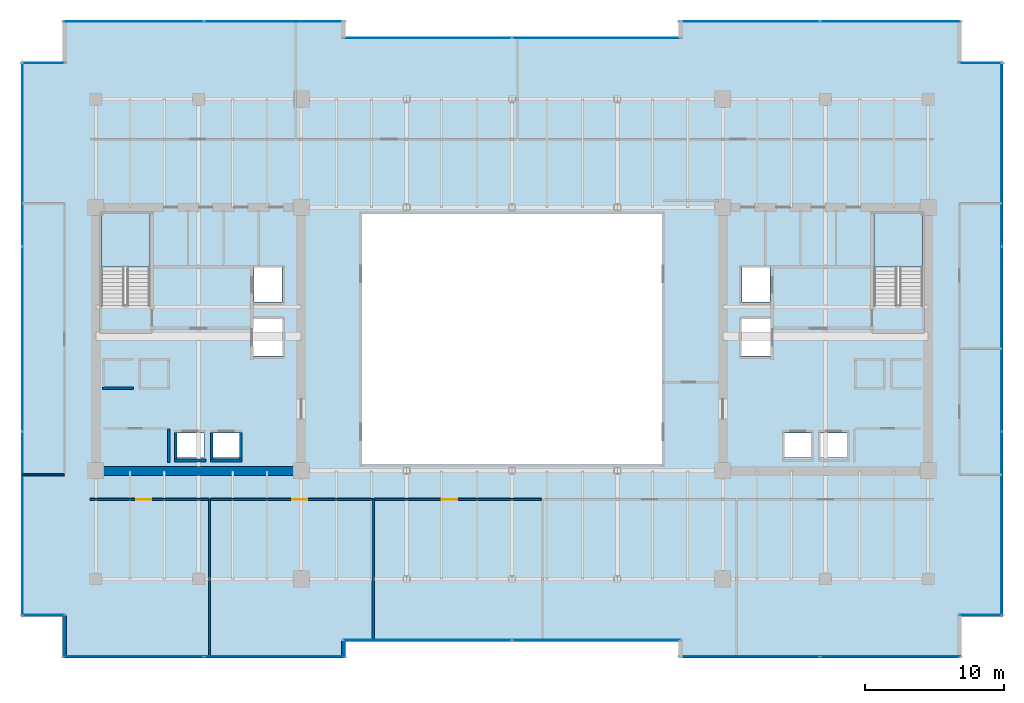
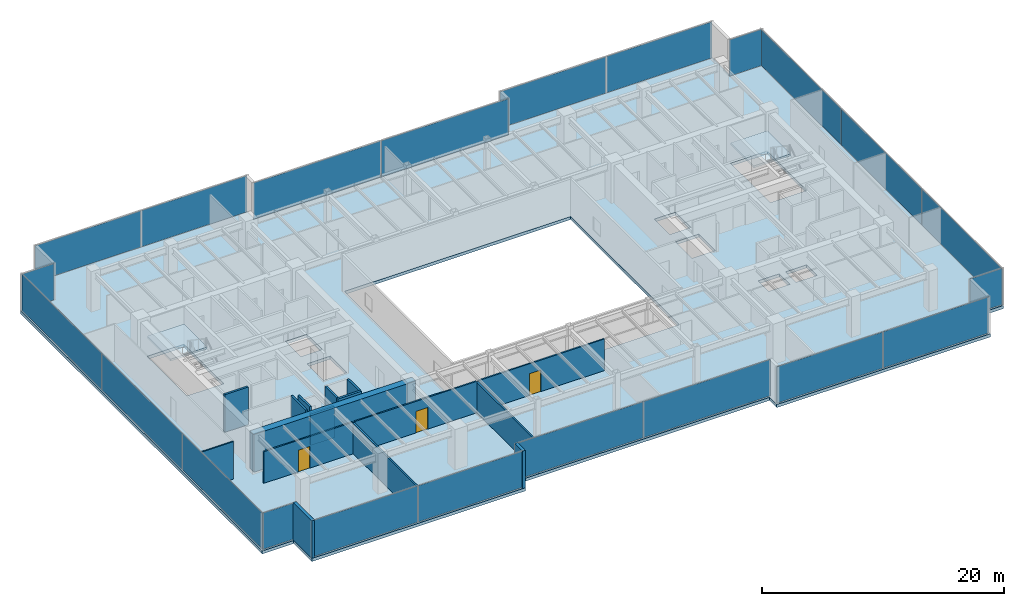
# One storey, part 24 of 30: 22 plates, 16 walls, 3 doors, 3 slabs, 3 openings, 14 elements without a shape of their own.
"""IFC4 building model written with IfcOpenShell, lengths in metres."""

from ifc_helpers import new_model, si_unit, direction, frame, frame_2d, origin, origin_2d, place, context, subcontext, project, spatial, polyline, rectangle, outline, extrude, source, transform, mapped, material, layer, layer_set, type_object, type_shapes, element, fill, aggregate, save


model = new_model("IFC4")

# Units and contexts
model_context = context("Model", 3, precision=1e-05, world=origin(), true_north=direction((0.0, 1.0)))
body_context = subcontext(model_context, "Body", "Model", "MODEL_VIEW")
ifc_project = project(units=[si_unit("LENGTHUNIT", "METRE"), si_unit("AREAUNIT", "SQUARE_METRE"), si_unit("VOLUMEUNIT", "CUBIC_METRE"), si_unit("PLANEANGLEUNIT", "RADIAN"), si_unit("MASSUNIT", "GRAM", prefix="KILO")], contexts=[model_context])

# Site, building, storey
site_placement = place(None, origin())
site = spatial("IfcSite", under=ifc_project, at=site_placement, CompositionType="ELEMENT")
building_placement = place(site_placement, origin())
building = spatial("IfcBuilding", under=site, at=building_placement, Name="Haelvirn Gate Laboratories", CompositionType="ELEMENT")
storey_placement = place(building_placement, frame((0.0, 0.0, 187.10009765625)))
storey = spatial("IfcBuildingStorey", under=building, at=storey_placement, Name="L45", CompositionType="ELEMENT", Elevation=187.10009765625)

# Stair, slab
ifc_material_1 = material(Name="Concrete C40/50", Category="concrete")
stair_type = type_object("IfcStairType", Name="ST-DOG-1650-R22", PredefinedType="HALF_TURN_STAIR", material=ifc_material_1)
stair_1_placement = place(storey_placement, origin())
stair_1 = element("IfcStair", 1, at=stair_1_placement, inside=storey, type_object=stair_type, Name="L45 Escape Stair ST1", PredefinedType="HALF_TURN_STAIR")
ifc_layer_1 = layer(ifc_material_1, 0.199951171875, Name="SL-STAIR-LND")
ifc_layer_set_1 = layer_set([ifc_layer_1], Name="Concrete C40/50")
slab_type_1 = type_object("IfcSlabType", Name="SL-STAIR-LND", PredefinedType="LANDING", material=ifc_layer_set_1)
slab_1_placement = place(storey_placement, frame((0.0, 0.0, 1.849853515625)))
slab_1 = element("IfcSlab", 2, at=slab_1_placement, type_object=slab_type_1, Name="ST1 landing 1", PredefinedType="LANDING", context=body_context, shape_type="SweptSolid", body=[
    extrude(outline(polyline([(11.300048828125, 29.5), (11.300048828125, 33.35009765625), (7.800048828125, 33.35009765625), (7.800048828125, 29.5), (11.300048828125, 29.5)])), origin(), (0.0, 0.0, 1.0), 0.199951171875),
])
aggregate(stair_1, [slab_1])

stair_2_placement = place(storey_placement, origin())
stair_2 = element("IfcStair", 3, at=stair_2_placement, inside=storey, type_object=stair_type, Name="L45 Escape Stair ST2", PredefinedType="HALF_TURN_STAIR")
slab_2_placement = place(storey_placement, frame((0.0, 0.0, 1.849853515625)))
slab_2 = element("IfcSlab", 4, at=slab_2_placement, type_object=slab_type_1, Name="ST2 landing 1", PredefinedType="LANDING", context=body_context, shape_type="SweptSolid", body=[
    extrude(outline(polyline([(67.0, 29.5), (67.0, 33.35009765625), (63.5, 33.35009765625), (63.5, 29.5), (67.0, 29.5)])), origin(), (0.0, 0.0, 1.0), 0.199951171875),
])
aggregate(stair_2, [slab_2])

# Slab
ifc_layer_2 = layer(ifc_material_1, 0.31005859375, Name="SL-Z2-310")
ifc_layer_set_2 = layer_set([ifc_layer_2], Name="Concrete C40/50")
slab_type_2 = type_object("IfcSlabType", Name="SL-Z2-310", PredefinedType="FLOOR", material=ifc_layer_set_2)
slab_3_placement = place(storey_placement, frame((0.0, 0.0, -0.31005859375)))
element("IfcSlab", 5, at=slab_3_placement, inside=storey, type_object=slab_type_2, Name="L45 Structural Slab MAIN", PredefinedType="FLOOR", context=body_context, shape_type="SweptSolid", body=[
    extrude(outline(polyline([(5.0, 1.300048828125), (25.39990234375, 1.300048828125), (25.39990234375, 2.5), (49.39990234375, 2.5), (49.39990234375, 1.300048828125), (69.800048828125, 1.300048828125), (69.800048828125, 4.300048828125), (72.800048828125, 4.300048828125), (72.800048828125, 44.300048828125), (69.800048828125, 44.300048828125), (69.800048828125, 47.300048828125), (49.39990234375, 47.300048828125), (49.39990234375, 46.10009765625), (25.39990234375, 46.10009765625), (25.39990234375, 47.300048828125), (5.0, 47.300048828125), (5.0, 44.300048828125), (2.0, 44.300048828125), (2.0, 4.300048828125), (5.0, 4.300048828125), (5.0, 1.300048828125)]), holes=[polyline([(26.60009765625, 15.300048828125), (48.199951171875, 15.300048828125), (48.199951171875, 33.300048828125), (26.60009765625, 33.300048828125), (26.60009765625, 15.300048828125)]), polyline([(11.300048828125, 26.780029296875), (11.300048828125, 33.35009765625), (7.800048828125, 33.35009765625), (7.800048828125, 26.780029296875), (11.300048828125, 26.780029296875)]), polyline([(67.0, 26.780029296875), (67.0, 33.35009765625), (63.5, 33.35009765625), (63.5, 26.780029296875), (67.0, 26.780029296875)]), polyline([(13.18994140625, 15.77001953125), (15.2099609375, 15.77001953125), (15.2099609375, 17.510009765625), (13.18994140625, 17.510009765625), (13.18994140625, 15.77001953125)]), polyline([(15.7900390625, 15.77001953125), (17.81005859375, 15.77001953125), (17.81005859375, 17.510009765625), (15.7900390625, 17.510009765625), (15.7900390625, 15.77001953125)]), polyline([(18.7900390625, 26.969970703125), (20.81005859375, 26.969970703125), (20.81005859375, 29.510009765625), (18.7900390625, 29.510009765625), (18.7900390625, 26.969970703125)]), polyline([(18.68994140625, 23.070068359375), (20.909912109375, 23.070068359375), (20.909912109375, 25.81005859375), (18.68994140625, 25.81005859375), (18.68994140625, 23.070068359375)]), polyline([(59.590087890625, 15.77001953125), (61.610107421875, 15.77001953125), (61.610107421875, 17.510009765625), (59.590087890625, 17.510009765625), (59.590087890625, 15.77001953125)]), polyline([(56.989990234375, 15.77001953125), (59.010009765625, 15.77001953125), (59.010009765625, 17.510009765625), (56.989990234375, 17.510009765625), (56.989990234375, 15.77001953125)]), polyline([(53.989990234375, 26.969970703125), (56.010009765625, 26.969970703125), (56.010009765625, 29.510009765625), (53.989990234375, 29.510009765625), (53.989990234375, 26.969970703125)]), polyline([(53.889892578125, 23.070068359375), (56.110107421875, 23.070068359375), (56.110107421875, 25.81005859375), (53.889892578125, 25.81005859375), (53.889892578125, 23.070068359375)])]), origin(), (0.0, 0.0, 1.0), 0.31005859375),
])

# Curtain wall, plates
ifc_material_2 = material(Name="Anodised bronze unitised aluminium & triple low-E glass", Category="aluminium")
ifc_layer_3 = layer(ifc_material_2, 0.179931640625, Name="CW-SYS-3")
ifc_layer_set_3 = layer_set([ifc_layer_3], Name="Anodised bronze unitised aluminium & triple low-E glass")
curtain_wall_type_1 = type_object("IfcCurtainWallType", Name="CW-SYS-3", PredefinedType="NOTDEFINED", material=ifc_layer_set_3)
curtain_wall_1_placement = place(storey_placement, origin())
curtain_wall_1 = element("IfcCurtainWall", 6, at=curtain_wall_1_placement, inside=storey, type_object=curtain_wall_type_1, Name="L45 Unitised Curtain Wall CW-L45-P0-E00-1", PredefinedType="NOTDEFINED")
ifc_material_3 = material(Name="High-selectivity bronze triple IGU 40 mm", Category="glass")
ifc_layer_4 = layer(ifc_material_3, 0.0400390625, Name="CWP-IGU-40")
ifc_layer_set_4 = layer_set([ifc_layer_4], Name="High-selectivity bronze triple IGU 40 mm")
plate_type_1 = type_object("IfcPlateType", Name="CWP-IGU-40", PredefinedType="CURTAIN_PANEL", material=ifc_layer_set_4)
shared_shape_1 = source(origin(), body_context, "Body", "SweptSolid", [
    extrude(rectangle(XDim=10.08740234375, YDim=0.0400390625, at=origin_2d()), origin(), (0.0, 0.0, 1.0), 3.659912109375),
])
plate_1_placement = place(storey_placement, frame((10.11865234375, 1.39990234375, 0.06494140625), z_axis=(0.0, 0.0, 1.0), x_axis=(1.0, 0.0, 0.0)))
plate_1 = element("IfcPlate", 7, at=plate_1_placement, type_object=plate_type_1, Name="CW3 panel 1.1", PredefinedType="CURTAIN_PANEL", context=body_context, shape_type="MappedRepresentation", body=[
    mapped(shared_shape_1, transform((0.0, 0.0, 0.0), scale=1.0)),
])
plate_2_placement = place(storey_placement, frame((20.28125, 1.39990234375, 0.06494140625), z_axis=(0.0, 0.0, 1.0), x_axis=(1.0, 0.0, 0.0)))
plate_2 = element("IfcPlate", 8, at=plate_2_placement, type_object=plate_type_1, Name="CW3 panel 2.1", PredefinedType="CURTAIN_PANEL", context=body_context, shape_type="MappedRepresentation", body=[
    mapped(shared_shape_1, transform((0.0, 0.0, 0.0), scale=1.0)),
])
aggregate(curtain_wall_1, [plate_1, plate_2])

curtain_wall_2_placement = place(storey_placement, origin())
curtain_wall_2 = element("IfcCurtainWall", 9, at=curtain_wall_2_placement, inside=storey, type_object=curtain_wall_type_1, Name="L45 Unitised Curtain Wall CW-L45-P0-E04-1", PredefinedType="NOTDEFINED")
plate_3_placement = place(storey_placement, frame((54.518798828125, 1.39990234375, 0.06494140625), z_axis=(0.0, 0.0, 1.0), x_axis=(1.0, 0.0, 0.0)))
plate_3 = element("IfcPlate", 10, at=plate_3_placement, type_object=plate_type_1, Name="CW3 panel 1.1", PredefinedType="CURTAIN_PANEL", context=body_context, shape_type="MappedRepresentation", body=[
    mapped(shared_shape_1, transform((0.0, 0.0, 0.0), scale=1.0)),
])
plate_4_placement = place(storey_placement, frame((64.68115234375, 1.39990234375, 0.06494140625), z_axis=(0.0, 0.0, 1.0), x_axis=(1.0, 0.0, 0.0)))
plate_4 = element("IfcPlate", 11, at=plate_4_placement, type_object=plate_type_1, Name="CW3 panel 2.1", PredefinedType="CURTAIN_PANEL", context=body_context, shape_type="MappedRepresentation", body=[
    mapped(shared_shape_1, transform((0.0, 0.0, 0.0), scale=1.0)),
])
aggregate(curtain_wall_2, [plate_3, plate_4])

curtain_wall_3_placement = place(storey_placement, origin())
curtain_wall_3 = element("IfcCurtainWall", 12, at=curtain_wall_3_placement, inside=storey, type_object=curtain_wall_type_1, Name="L45 Unitised Curtain Wall CW-L45-P0-E10-1", PredefinedType="NOTDEFINED")
plate_5_placement = place(storey_placement, frame((54.518798828125, 47.199951171875, 0.06494140625), z_axis=(0.0, 0.0, 1.0), x_axis=(1.0, 0.0, 0.0)))
plate_5 = element("IfcPlate", 13, at=plate_5_placement, type_object=plate_type_1, Name="CW3 panel 1.1", PredefinedType="CURTAIN_PANEL", context=body_context, shape_type="MappedRepresentation", body=[
    mapped(shared_shape_1, transform((0.0, 0.0, 0.0), scale=1.0)),
])
plate_6_placement = place(storey_placement, frame((64.68115234375, 47.199951171875, 0.06494140625), z_axis=(0.0, 0.0, 1.0), x_axis=(1.0, 0.0, 0.0)))
plate_6 = element("IfcPlate", 14, at=plate_6_placement, type_object=plate_type_1, Name="CW3 panel 2.1", PredefinedType="CURTAIN_PANEL", context=body_context, shape_type="MappedRepresentation", body=[
    mapped(shared_shape_1, transform((0.0, 0.0, 0.0), scale=1.0)),
])
aggregate(curtain_wall_3, [plate_5, plate_6])

curtain_wall_4_placement = place(storey_placement, origin())
curtain_wall_4 = element("IfcCurtainWall", 15, at=curtain_wall_4_placement, inside=storey, type_object=curtain_wall_type_1, Name="L45 Unitised Curtain Wall CW-L45-P0-E14-1", PredefinedType="NOTDEFINED")
plate_7_placement = place(storey_placement, frame((10.11865234375, 47.199951171875, 0.06494140625), z_axis=(0.0, 0.0, 1.0), x_axis=(1.0, 0.0, 0.0)))
plate_7 = element("IfcPlate", 16, at=plate_7_placement, type_object=plate_type_1, Name="CW3 panel 1.1", PredefinedType="CURTAIN_PANEL", context=body_context, shape_type="MappedRepresentation", body=[
    mapped(shared_shape_1, transform((0.0, 0.0, 0.0), scale=1.0)),
])
plate_8_placement = place(storey_placement, frame((20.28125, 47.199951171875, 0.06494140625), z_axis=(0.0, 0.0, 1.0), x_axis=(1.0, 0.0, 0.0)))
plate_8 = element("IfcPlate", 17, at=plate_8_placement, type_object=plate_type_1, Name="CW3 panel 2.1", PredefinedType="CURTAIN_PANEL", context=body_context, shape_type="MappedRepresentation", body=[
    mapped(shared_shape_1, transform((0.0, 0.0, 0.0), scale=1.0)),
])
aggregate(curtain_wall_4, [plate_7, plate_8])

curtain_wall_5_placement = place(storey_placement, origin())
curtain_wall_5 = element("IfcCurtainWall", 18, at=curtain_wall_5_placement, inside=storey, type_object=curtain_wall_type_1, Name="L45 Unitised Curtain Wall CW-L45-P0-E02-1", PredefinedType="NOTDEFINED")
shared_shape_2 = source(origin(), body_context, "Body", "SweptSolid", [
    extrude(rectangle(XDim=12.12744140625, YDim=0.0400390625, at=origin_2d()), origin(), (0.0, 0.0, 1.0), 3.659912109375),
])
plate_9_placement = place(storey_placement, frame((31.298828125, 2.60009765625, 0.06494140625), z_axis=(0.0, 0.0, 1.0), x_axis=(1.0, 0.0, 0.0)))
plate_9 = element("IfcPlate", 19, at=plate_9_placement, type_object=plate_type_1, Name="CW3 panel 1.1", PredefinedType="CURTAIN_PANEL", context=body_context, shape_type="MappedRepresentation", body=[
    mapped(shared_shape_2, transform((0.0, 0.0, 0.0), scale=1.0)),
])
plate_10_placement = place(storey_placement, frame((43.501220703125, 2.60009765625, 0.06494140625), z_axis=(0.0, 0.0, 1.0), x_axis=(1.0, 0.0, 0.0)))
plate_10 = element("IfcPlate", 20, at=plate_10_placement, type_object=plate_type_1, Name="CW3 panel 2.1", PredefinedType="CURTAIN_PANEL", context=body_context, shape_type="MappedRepresentation", body=[
    mapped(shared_shape_2, transform((0.0, 0.0, 0.0), scale=1.0)),
])
aggregate(curtain_wall_5, [plate_9, plate_10])

curtain_wall_6_placement = place(storey_placement, origin())
curtain_wall_6 = element("IfcCurtainWall", 21, at=curtain_wall_6_placement, inside=storey, type_object=curtain_wall_type_1, Name="L45 Unitised Curtain Wall CW-L45-P0-E12-1", PredefinedType="NOTDEFINED")
plate_11_placement = place(storey_placement, frame((31.298828125, 46.0, 0.06494140625), z_axis=(0.0, 0.0, 1.0), x_axis=(1.0, 0.0, 0.0)))
plate_11 = element("IfcPlate", 22, at=plate_11_placement, type_object=plate_type_1, Name="CW3 panel 1.1", PredefinedType="CURTAIN_PANEL", context=body_context, shape_type="MappedRepresentation", body=[
    mapped(shared_shape_2, transform((0.0, 0.0, 0.0), scale=1.0)),
])
plate_12_placement = place(storey_placement, frame((43.501220703125, 46.0, 0.06494140625), z_axis=(0.0, 0.0, 1.0), x_axis=(1.0, 0.0, 0.0)))
plate_12 = element("IfcPlate", 23, at=plate_12_placement, type_object=plate_type_1, Name="CW3 panel 2.1", PredefinedType="CURTAIN_PANEL", context=body_context, shape_type="MappedRepresentation", body=[
    mapped(shared_shape_2, transform((0.0, 0.0, 0.0), scale=1.0)),
])
aggregate(curtain_wall_6, [plate_11, plate_12])

# Curtain wall, plate
ifc_layer_5 = layer(ifc_material_2, 0.181884765625, Name="CW-SYS-5")
ifc_layer_set_5 = layer_set([ifc_layer_5], Name="Anodised bronze unitised aluminium & triple low-E glass")
curtain_wall_type_2 = type_object("IfcCurtainWallType", Name="CW-SYS-5", PredefinedType="NOTDEFINED", material=ifc_layer_set_5)
curtain_wall_7_placement = place(storey_placement, origin())
curtain_wall_7 = element("IfcCurtainWall", 24, at=curtain_wall_7_placement, inside=storey, type_object=curtain_wall_type_2, Name="L45 Unitised Curtain Wall CW-L45-P0-E06-1", PredefinedType="NOTDEFINED")
ifc_material_4 = material(Name="Clear low-iron notched-corner triple IGU 42 mm", Category="glass")
ifc_layer_6 = layer(ifc_material_4, 0.0419921875, Name="CWP-NTC-42")
ifc_layer_set_6 = layer_set([ifc_layer_6], Name="Clear low-iron notched-corner triple IGU 42 mm")
plate_type_2 = type_object("IfcPlateType", Name="CWP-NTC-42", PredefinedType="CURTAIN_PANEL", material=ifc_layer_set_6)
shared_shape_3 = source(origin(), body_context, "Body", "SweptSolid", [
    extrude(rectangle(XDim=3.080078125, YDim=0.0419921875, at=origin_2d()), origin(), (0.0, 0.0, 1.0), 3.659912109375),
])
type_shapes(plate_type_2, [shared_shape_3])
plate_13_placement = place(storey_placement, frame((71.179931640625, 4.39990234375, 0.06494140625), z_axis=(0.0, 0.0, 1.0), x_axis=(1.0, 0.0, 0.0)))
plate_13 = element("IfcPlate", 25, at=plate_13_placement, type_object=plate_type_2, Name="CW5 panel 1.1", PredefinedType="CURTAIN_PANEL", context=body_context, shape_type="MappedRepresentation", body=[
    mapped(shared_shape_3, transform((0.0, 0.0, 0.0), scale=1.0)),
])
aggregate(curtain_wall_7, [plate_13])

curtain_wall_8_placement = place(storey_placement, origin())
curtain_wall_8 = element("IfcCurtainWall", 26, at=curtain_wall_8_placement, inside=storey, type_object=curtain_wall_type_2, Name="L45 Unitised Curtain Wall CW-L45-P0-E08-1", PredefinedType="NOTDEFINED")
plate_14_placement = place(storey_placement, frame((71.179931640625, 44.199951171875, 0.06494140625), z_axis=(0.0, 0.0, 1.0), x_axis=(1.0, 0.0, 0.0)))
plate_14 = element("IfcPlate", 27, at=plate_14_placement, type_object=plate_type_2, Name="CW5 panel 1.1", PredefinedType="CURTAIN_PANEL", context=body_context, shape_type="MappedRepresentation", body=[
    mapped(shared_shape_3, transform((0.0, 0.0, 0.0), scale=1.0)),
])
aggregate(curtain_wall_8, [plate_14])

curtain_wall_9_placement = place(storey_placement, origin())
curtain_wall_9 = element("IfcCurtainWall", 28, at=curtain_wall_9_placement, inside=storey, type_object=curtain_wall_type_2, Name="L45 Unitised Curtain Wall CW-L45-P0-E16-1", PredefinedType="NOTDEFINED")
plate_15_placement = place(storey_placement, frame((3.6201171875, 44.199951171875, 0.06494140625), z_axis=(0.0, 0.0, 1.0), x_axis=(1.0, 0.0, 0.0)))
plate_15 = element("IfcPlate", 29, at=plate_15_placement, type_object=plate_type_2, Name="CW5 panel 1.1", PredefinedType="CURTAIN_PANEL", context=body_context, shape_type="MappedRepresentation", body=[
    mapped(shared_shape_3, transform((0.0, 0.0, 0.0), scale=1.0)),
])
aggregate(curtain_wall_9, [plate_15])

curtain_wall_10_placement = place(storey_placement, origin())
curtain_wall_10 = element("IfcCurtainWall", 30, at=curtain_wall_10_placement, inside=storey, type_object=curtain_wall_type_2, Name="L45 Unitised Curtain Wall CW-L45-P0-E18-1", PredefinedType="NOTDEFINED")
plate_16_placement = place(storey_placement, frame((3.6201171875, 4.39990234375, 0.06494140625), z_axis=(0.0, 0.0, 1.0), x_axis=(1.0, 0.0, 0.0)))
plate_16 = element("IfcPlate", 31, at=plate_16_placement, type_object=plate_type_2, Name="CW5 panel 1.1", PredefinedType="CURTAIN_PANEL", context=body_context, shape_type="MappedRepresentation", body=[
    mapped(shared_shape_3, transform((0.0, 0.0, 0.0), scale=1.0)),
])
aggregate(curtain_wall_10, [plate_16])

# Curtain wall, plates
curtain_wall_11_placement = place(storey_placement, origin())
curtain_wall_11 = element("IfcCurtainWall", 32, at=curtain_wall_11_placement, inside=storey, type_object=curtain_wall_type_1, Name="L45 Unitised Curtain Wall CW-L45-P0-E07", PredefinedType="NOTDEFINED")
shared_shape_4 = source(origin(), body_context, "Body", "SweptSolid", [
    extrude(rectangle(XDim=13.220947265625, YDim=0.0400390625, at=origin_2d()), origin(), (0.0, 0.0, 1.0), 3.659912109375),
])
plate_17_placement = place(storey_placement, frame((72.699951171875, 10.9853515625, 0.06494140625), z_axis=(0.0, 0.0, 1.0), x_axis=(0.0, 1.0, 0.0)))
plate_17 = element("IfcPlate", 33, at=plate_17_placement, type_object=plate_type_1, Name="CW3 panel 1.1", PredefinedType="CURTAIN_PANEL", context=body_context, shape_type="MappedRepresentation", body=[
    mapped(shared_shape_4, transform((0.0, 0.0, 0.0), scale=1.0)),
])
plate_18_placement = place(storey_placement, frame((72.699951171875, 37.614501953125, 0.06494140625), z_axis=(0.0, 0.0, 1.0), x_axis=(0.0, 1.0, 0.0)))
plate_18 = element("IfcPlate", 34, at=plate_18_placement, type_object=plate_type_1, Name="CW3 panel 3.1", PredefinedType="CURTAIN_PANEL", context=body_context, shape_type="MappedRepresentation", body=[
    mapped(shared_shape_4, transform((0.0, 0.0, 0.0), scale=1.0)),
])

curtain_wall_12_placement = place(storey_placement, origin())
curtain_wall_12 = element("IfcCurtainWall", 35, at=curtain_wall_12_placement, inside=storey, type_object=curtain_wall_type_1, Name="L45 Unitised Curtain Wall CW-L45-P0-E17", PredefinedType="NOTDEFINED")
plate_19_placement = place(storey_placement, frame((2.10009765625, 37.614501953125, 0.06494140625), z_axis=(0.0, 0.0, 1.0), x_axis=(0.0, -1.0, 0.0)))
plate_19 = element("IfcPlate", 36, at=plate_19_placement, type_object=plate_type_1, Name="CW3 panel 1.1", PredefinedType="CURTAIN_PANEL", context=body_context, shape_type="MappedRepresentation", body=[
    mapped(shared_shape_4, transform((0.0, 0.0, 0.0), scale=1.0)),
])
plate_20_placement = place(storey_placement, frame((2.10009765625, 10.9853515625, 0.06494140625), z_axis=(0.0, 0.0, 1.0), x_axis=(0.0, -1.0, 0.0)))
plate_20 = element("IfcPlate", 37, at=plate_20_placement, type_object=plate_type_1, Name="CW3 panel 3.1", PredefinedType="CURTAIN_PANEL", context=body_context, shape_type="MappedRepresentation", body=[
    mapped(shared_shape_4, transform((0.0, 0.0, 0.0), scale=1.0)),
])

# Plate
shared_shape_5 = source(origin(), body_context, "Body", "SweptSolid", [
    extrude(rectangle(XDim=13.25830078125, YDim=0.0400390625, at=origin_2d()), origin(), (0.0, 0.0, 1.0), 3.659912109375),
])
type_shapes(plate_type_1, [shared_shape_1, shared_shape_2, shared_shape_4, shared_shape_5])
plate_21_placement = place(storey_placement, frame((72.699951171875, 24.300048828125, 0.06494140625), z_axis=(0.0, 0.0, 1.0), x_axis=(0.0, 1.0, 0.0)))
plate_21 = element("IfcPlate", 38, at=plate_21_placement, type_object=plate_type_1, Name="CW3 panel 2.1", PredefinedType="CURTAIN_PANEL", context=body_context, shape_type="MappedRepresentation", body=[
    mapped(shared_shape_5, transform((0.0, 0.0, 0.0), scale=1.0)),
])

aggregate(curtain_wall_11, [plate_17, plate_21, plate_18])

plate_22_placement = place(storey_placement, frame((2.10009765625, 24.300048828125, 0.06494140625), z_axis=(0.0, 0.0, 1.0), x_axis=(0.0, -1.0, 0.0)))
plate_22 = element("IfcPlate", 39, at=plate_22_placement, type_object=plate_type_1, Name="CW3 panel 2.1", PredefinedType="CURTAIN_PANEL", context=body_context, shape_type="MappedRepresentation", body=[
    mapped(shared_shape_5, transform((0.0, 0.0, 0.0), scale=1.0)),
])

aggregate(curtain_wall_12, [plate_19, plate_22, plate_20])

# Walls
ifc_material_5 = material(Name="Thermally-broken bronze aluminium rainscreen & mineral wool", Category="aluminium")
ifc_layer_7 = layer(ifc_material_5, 0.280029296875, Name="EW-TERR-280")
ifc_layer_set_7 = layer_set([ifc_layer_7], Name="Thermally-broken bronze aluminium rainscreen & mineral wool")
wall_type_1 = type_object("IfcWallType", Name="EW-TERR-280", PredefinedType="STANDARD", material=ifc_layer_set_7)
wall_1_placement = place(storey_placement, frame((25.260009765625, 1.300048828125, 0.0), z_axis=(0.0, 0.0, 1.0), x_axis=(0.0, 1.0, 0.0)))
element("IfcWall", 40, at=wall_1_placement, inside=storey, type_object=wall_type_1, Name="L45 Atrium Recess Bronze Return Wall 01", PredefinedType="STANDARD", context=body_context, shape_type="SweptSolid", body=[
    extrude(rectangle(XDim=1.287841796875, YDim=0.280029296875, at=frame_2d((0.64404296875, 0.0))), origin(), (0.0, 0.0, 1.0), 3.789794921875),
])
wall_2_placement = place(storey_placement, frame((5.139892578125, 4.387939453125, 0.0), z_axis=(0.0, 0.0, 1.0), x_axis=(0.0, -1.0, 0.0)))
element("IfcWall", 41, at=wall_2_placement, inside=storey, type_object=wall_type_1, Name="L45 Atrium Recess Bronze Return Wall 19", PredefinedType="STANDARD", context=body_context, shape_type="SweptSolid", body=[
    extrude(rectangle(XDim=3.087890625, YDim=0.280029296875, at=frame_2d((1.5439453125, 0.0))), origin(), (0.0, 0.0, 1.0), 3.789794921875),
])
ifc_material_6 = material(Name="Double-layer acoustic gypsum laboratory partition", Category="gypsum")
ifc_layer_8 = layer(ifc_material_6, 0.159912109375, Name="IW-ACOUST-160")
ifc_layer_set_8 = layer_set([ifc_layer_8], Name="Double-layer acoustic gypsum laboratory partition")
wall_type_2 = type_object("IfcWallType", Name="IW-ACOUST-160", PredefinedType="PARTITIONING", material=ifc_layer_set_8)
wall_3_placement = place(storey_placement, frame((15.60009765625, 1.409912109375, 0.0), z_axis=(0.0, 0.0, 1.0), x_axis=(0.0, 1.0, 0.0)))
element("IfcWall", 42, at=wall_3_placement, inside=storey, type_object=wall_type_2, Name="L45 Interior Wall IW-L45-SDIV-01", PredefinedType="PARTITIONING", context=body_context, shape_type="SweptSolid", body=[
    extrude(rectangle(XDim=11.330078125, YDim=0.159912109375, at=frame_2d((5.6650390625, 0.0))), origin(), (0.0, 0.0, 1.0), 3.074951171875),
])
wall_4_placement = place(storey_placement, frame((27.39990234375, 2.610107421875, 0.0), z_axis=(0.0, 0.0, 1.0), x_axis=(0.0, 1.0, 0.0)))
element("IfcWall", 43, at=wall_4_placement, inside=storey, type_object=wall_type_2, Name="L45 Interior Wall IW-L45-SDIV-02", PredefinedType="PARTITIONING", context=body_context, shape_type="SweptSolid", body=[
    extrude(rectangle(XDim=10.1298828125, YDim=0.159912109375, at=frame_2d((5.06494140625, 0.0))), origin(), (0.0, 0.0, 1.0), 3.074951171875),
])
ifc_material_7 = material(Name="Lightweight acoustic gypsum board partition", Category="gypsum")
ifc_layer_9 = layer(ifc_material_7, 0.1201171875, Name="IW-PART-120")
ifc_layer_set_9 = layer_set([ifc_layer_9], Name="Lightweight acoustic gypsum board partition")
wall_type_3 = type_object("IfcWallType", Name="IW-PART-120", PredefinedType="PARTITIONING", material=ifc_layer_set_9)
wall_5_placement = place(storey_placement, frame((2.110107421875, 14.514892578125, 0.0), z_axis=(0.0, 0.0, 1.0), x_axis=(1.0, 0.0, 0.0)))
element("IfcWall", 44, at=wall_5_placement, inside=storey, type_object=wall_type_3, Name="L45 Interior Wall IW-L45-WCAP-S", PredefinedType="PARTITIONING", context=body_context, shape_type="SweptSolid", body=[
    extrude(rectangle(XDim=3.019775390625, YDim=0.1201171875, at=frame_2d((1.509765625, 0.0))), origin(), (0.0, 0.0, 1.0), 3.789794921875),
])

# Wall, opening, door
ifc_material_8 = material(Name="Acoustic mineral-wool gypsum board partition", Category="gypsum")
ifc_layer_10 = layer(ifc_material_8, 0.139892578125, Name="IW-PART-140")
ifc_layer_set_10 = layer_set([ifc_layer_10], Name="Acoustic mineral-wool gypsum board partition")
wall_type_4 = type_object("IfcWallType", Name="IW-PART-140", PredefinedType="PARTITIONING", material=ifc_layer_set_10)
wall_6_placement = place(storey_placement, frame((6.97998046875, 12.739990234375, 0.0), z_axis=(0.0, 0.0, 1.0), x_axis=(1.0, 0.0, 0.0)))
wall_6 = element("IfcWall", 45, at=wall_6_placement, inside=storey, type_object=wall_type_4, Name="L45 Interior Wall IW-L45-SCORR-01", PredefinedType="PARTITIONING", context=body_context, shape_type="SweptSolid", body=[
    extrude(rectangle(XDim=8.5400390625, YDim=0.139892578125, at=frame_2d((4.27001953125, 0.0))), origin(), (0.0, 0.0, 1.0), 3.18701171875),
])
opening_1_placement = place(wall_6_placement, frame((3.315673828125, 0.0, 0.0)))
opening_1 = element("IfcOpeningElement", 46, at=opening_1_placement, cuts=wall_6, Name="Opening D1", PredefinedType="OPENING", context=body_context, shape_type="SweptSolid", body=[
    extrude(rectangle(XDim=1.10009765625, YDim=2.179931640625, at=frame_2d((0.550048828125, 1.08984375))), frame((0.0, 0.080078125, 0.0), z_axis=(0.0, -1.0, 0.0), x_axis=(1.0, 0.0, 0.0)), (0.0, 0.0, 1.0), 0.159912109375),
])
ifc_material_9 = material(Name="Vision-panel acoustic solid-core timber lab door", Category="wood")
door_type = type_object("IfcDoorType", Name="DR-LAB-1100", OperationType="NOTDEFINED", PredefinedType="DOOR", material=ifc_material_9)
shared_shape_6 = source(origin(), body_context, "Body", "SweptSolid", [
    extrude(rectangle(XDim=1.10009765625, YDim=2.179931640625, at=frame_2d((0.550048828125, 1.08984375))), frame((0.0, 0.02490234375, 0.0), z_axis=(0.0, -1.0, 0.0), x_axis=(1.0, 0.0, 0.0)), (0.0, 0.0, 1.0), 0.050048828125),
])
type_shapes(door_type, [shared_shape_6])
door_1_placement = place(opening_1_placement, origin())
door_1 = element("IfcDoor", 47, at=door_1_placement, inside=storey, type_object=door_type, Name="L45 Bioinformatics Dry-Lab Workspace Door S1", OperationType="SINGLE_SWING_RIGHT", OverallHeight=2.179931640625, OverallWidth=1.10009765625, PredefinedType="DOOR", context=body_context, shape_type="MappedRepresentation", body=[
    mapped(shared_shape_6, transform((0.0, 0.0, 0.0), scale=1.0)),
])
fill(opening_1, door_1)

wall_7_placement = place(storey_placement, frame((15.679931640625, 12.739990234375, 0.0), z_axis=(0.0, 0.0, 1.0), x_axis=(1.0, 0.0, 0.0)))
wall_7 = element("IfcWall", 48, at=wall_7_placement, inside=storey, type_object=wall_type_4, Name="L45 Interior Wall IW-L45-SCORR-02", PredefinedType="PARTITIONING", context=body_context, shape_type="SweptSolid", body=[
    extrude(rectangle(XDim=11.64013671875, YDim=0.139892578125, at=frame_2d((5.820068359375, 0.0))), origin(), (0.0, 0.0, 1.0), 3.18701171875),
])
opening_2_placement = place(wall_7_placement, frame((5.8603515625, 0.0, 0.0)))
opening_2 = element("IfcOpeningElement", 49, at=opening_2_placement, cuts=wall_7, Name="Opening D1", PredefinedType="OPENING", context=body_context, shape_type="SweptSolid", body=[
    extrude(rectangle(XDim=1.10009765625, YDim=2.179931640625, at=frame_2d((0.550048828125, 1.08984375))), frame((0.0, 0.080078125, 0.0), z_axis=(0.0, -1.0, 0.0), x_axis=(1.0, 0.0, 0.0)), (0.0, 0.0, 1.0), 0.159912109375),
])
door_2_placement = place(opening_2_placement, origin())
door_2 = element("IfcDoor", 50, at=door_2_placement, inside=storey, type_object=door_type, Name="L45 Translational Data Office Door S2", OperationType="SINGLE_SWING_LEFT", OverallHeight=2.179931640625, OverallWidth=1.10009765625, PredefinedType="DOOR", context=body_context, shape_type="MappedRepresentation", body=[
    mapped(shared_shape_6, transform((0.0, 0.0, 0.0), scale=1.0)),
])
fill(opening_2, door_2)

wall_8_placement = place(storey_placement, frame((27.47998046875, 12.739990234375, 0.0), z_axis=(0.0, 0.0, 1.0), x_axis=(1.0, 0.0, 0.0)))
wall_8 = element("IfcWall", 51, at=wall_8_placement, inside=storey, type_object=wall_type_4, Name="L45 Interior Wall IW-L45-SCORR-03", PredefinedType="PARTITIONING", context=body_context, shape_type="SweptSolid", body=[
    extrude(rectangle(XDim=12.0400390625, YDim=0.139892578125, at=frame_2d((6.02001953125, 0.0))), origin(), (0.0, 0.0, 1.0), 3.18701171875),
])
opening_3_placement = place(wall_8_placement, frame((4.855712890625, 0.0, 0.0)))
opening_3 = element("IfcOpeningElement", 52, at=opening_3_placement, cuts=wall_8, Name="Opening D1", PredefinedType="OPENING", context=body_context, shape_type="SweptSolid", body=[
    extrude(rectangle(XDim=1.10009765625, YDim=2.179931640625, at=frame_2d((0.550048828125, 1.08984375))), frame((0.0, 0.080078125, 0.0), z_axis=(0.0, -1.0, 0.0), x_axis=(1.0, 0.0, 0.0)), (0.0, 0.0, 1.0), 0.159912109375),
])
door_3_placement = place(opening_3_placement, origin())
door_3 = element("IfcDoor", 53, at=door_3_placement, inside=storey, type_object=door_type, Name="L45 Analytical Instrument Suite Door S3", OperationType="SINGLE_SWING_RIGHT", OverallHeight=2.179931640625, OverallWidth=1.10009765625, PredefinedType="DOOR", context=body_context, shape_type="MappedRepresentation", body=[
    mapped(shared_shape_6, transform((0.0, 0.0, 0.0), scale=1.0)),
])
fill(opening_3, door_3)

# Walls
ifc_layer_11 = layer(ifc_material_1, 0.179931640625, Name="IW-SHAFT-180")
ifc_layer_set_11 = layer_set([ifc_layer_11], Name="Concrete C40/50")
wall_type_5 = type_object("IfcWallType", Name="IW-SHAFT-180", PredefinedType="SOLIDWALL", material=ifc_layer_set_11)
for number, where, z_axis, x_axis, name in (
    (54, (13.14990234375, 15.64990234375, 0.0), (0.0, 0.0, 1.0), (0.0, 1.0, 0.0), "L45 Interior Wall IW-L45-PL5-SD"),
    (55, (15.75, 15.64990234375, 0.0), (0.0, 0.0, 1.0), (0.0, 1.0, 0.0), "L45 Interior Wall IW-L45-PL6-SD"),
    (56, (17.85009765625, 15.64990234375, 0.0), (0.0, 0.0, 1.0), (0.0, 1.0, 0.0), "L45 Interior Wall IW-L45-PL6-SDE"),
):
    element("IfcWall", number, at=place(storey_placement, frame(where, z_axis=z_axis, x_axis=x_axis)), inside=storey, type_object=wall_type_5, Name=name, PredefinedType="SOLIDWALL", context=body_context, shape_type="SweptSolid", body=[
        extrude(rectangle(XDim=1.900146484375, YDim=0.179931640625, at=frame_2d((0.9501953125, 0.0))), origin(), (0.0, 0.0, 1.0), 3.789794921875),
    ])
wall_9_placement = place(storey_placement, frame((12.639892578125, 15.39990234375, 0.0), z_axis=(0.0, 0.0, 1.0), x_axis=(0.0, 1.0, 0.0)))
element("IfcWall", 57, at=wall_9_placement, inside=storey, type_object=wall_type_5, Name="L45 Interior Wall IW-L45-W-FREED-LE-1", PredefinedType="SOLIDWALL", context=body_context, shape_type="SweptSolid", body=[
    extrude(rectangle(XDim=2.400146484375, YDim=0.179931640625, at=frame_2d((1.2001953125, 0.0))), origin(), (0.0, 0.0, 1.0), 3.789794921875),
])
ifc_layer_12 = layer(ifc_material_1, 0.199951171875, Name="IW-SHAFT-200")
ifc_layer_set_12 = layer_set([ifc_layer_12], Name="Concrete C40/50")
wall_type_6 = type_object("IfcWallType", Name="IW-SHAFT-200", PredefinedType="SOLIDWALL", material=ifc_layer_set_12)
wall_10_placement = place(storey_placement, frame((13.070068359375, 15.550048828125, 0.0), z_axis=(0.0, 0.0, 1.0), x_axis=(1.0, 0.0, 0.0)))
element("IfcWall", 58, at=wall_10_placement, inside=storey, type_object=wall_type_6, Name="L45 Interior Wall IW-L45-PL5-BK", PredefinedType="SOLIDWALL", context=body_context, shape_type="SweptSolid", body=[
    extrude(rectangle(XDim=2.260009765625, YDim=0.199951171875, at=frame_2d((1.1298828125, 0.0))), origin(), (0.0, 0.0, 1.0), 3.18701171875),
])
wall_11_placement = place(storey_placement, frame((15.669921875, 15.550048828125, 0.0), z_axis=(0.0, 0.0, 1.0), x_axis=(1.0, 0.0, 0.0)))
element("IfcWall", 59, at=wall_11_placement, inside=storey, type_object=wall_type_6, Name="L45 Interior Wall IW-L45-PL6-BK", PredefinedType="SOLIDWALL", context=body_context, shape_type="SweptSolid", body=[
    extrude(rectangle(XDim=2.260009765625, YDim=0.199951171875, at=frame_2d((1.1298828125, 0.0))), origin(), (0.0, 0.0, 1.0), 3.789794921875),
])
wall_12_placement = place(storey_placement, frame((7.8701171875, 20.75, 0.0), z_axis=(0.0, 0.0, 1.0), x_axis=(1.0, 0.0, 0.0)))
element("IfcWall", 60, at=wall_12_placement, inside=storey, type_object=wall_type_6, Name="L45 Interior Wall IW-L45-PL9-FR", PredefinedType="SOLIDWALL", context=body_context, shape_type="SweptSolid", body=[
    extrude(rectangle(XDim=2.259765625, YDim=0.199951171875, at=frame_2d((1.1298828125, 0.0))), origin(), (0.0, 0.0, 1.0), 3.789794921875),
])
ifc_material_10 = material(Name="Concrete C60/75", Category="concrete")
ifc_layer_13 = layer(ifc_material_10, 0.64990234375, Name="SW-CORE-650")
ifc_layer_set_13 = layer_set([ifc_layer_13], Name="Concrete C60/75")
wall_type_7 = type_object("IfcWallType", Name="SW-CORE-650", PredefinedType="SHEAR", material=ifc_layer_set_13)
wall_13_placement = place(storey_placement, frame((7.074951171875, 14.800048828125, 0.0), z_axis=(0.0, 0.0, 1.0), x_axis=(1.0, 0.0, 0.0)))
element("IfcWall", 61, at=wall_13_placement, inside=storey, type_object=wall_type_7, Name="L45 W Core Shear Wall S", PredefinedType="SHEAR", context=body_context, shape_type="SweptSolid", body=[
    extrude(rectangle(XDim=15.449951171875, YDim=0.64990234375, at=frame_2d((7.72509765625, 0.0))), origin(), (0.0, 0.0, 1.0), 3.789794921875),
])

save(model, "model.ifc")
